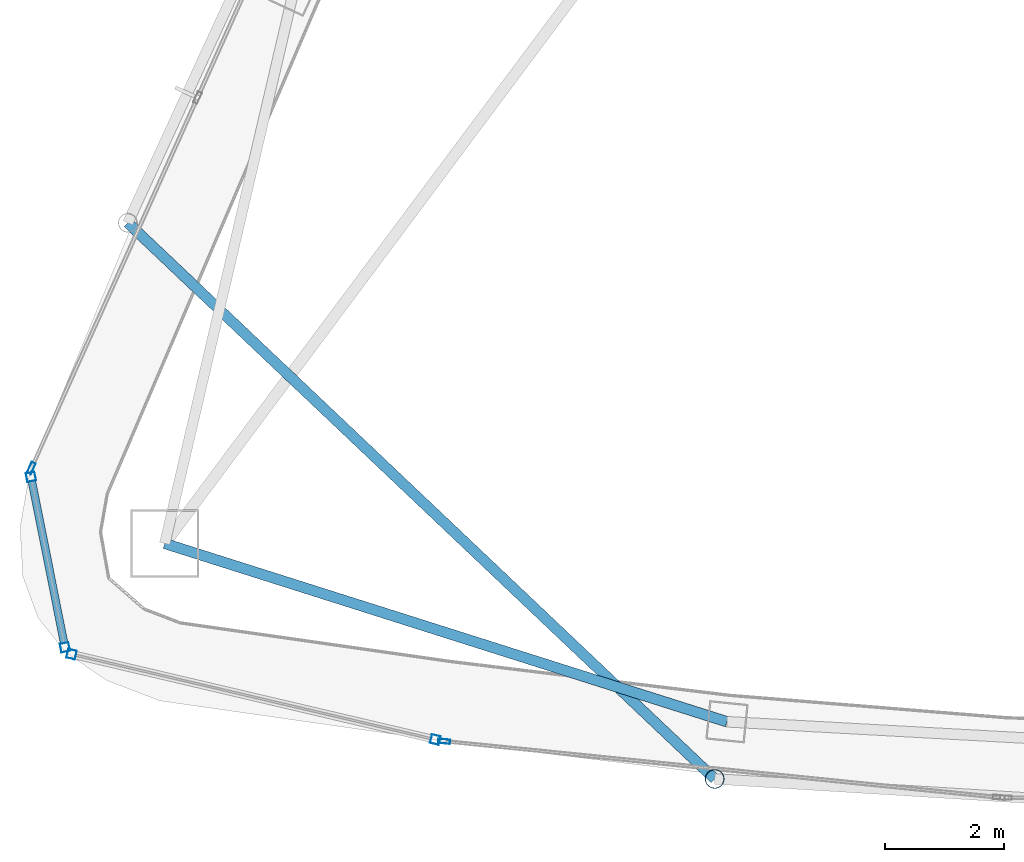
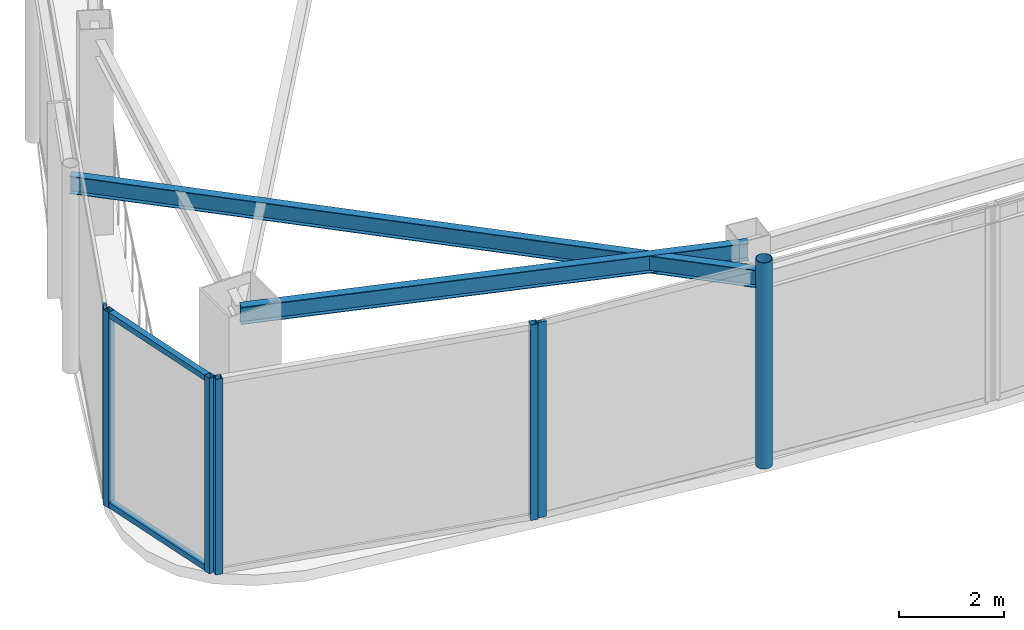
# One storey, part 2 of 19: 9 members, 2 beams, 4 elements without a shape of their own.
"""IFC4 building model written with IfcOpenShell, lengths in metres."""

from ifc_helpers import new_model, si_unit, direction, frame, origin, origin_2d, place, context, subcontext, project, spatial, hollow_rectangle, hollow_circle, i_section, extrude, material, layer, layer_set, material_profile, profile_set, type_object, element, aggregate, save


model = new_model("IFC4")

# Units and contexts
model_context = context("Model", 3, precision=1e-05, world=origin(), true_north=direction((0.0, 1.0)))
body_context = subcontext(model_context, "Body", "Model", "MODEL_VIEW")
ifc_project = project(units=[si_unit("LENGTHUNIT", "METRE"), si_unit("AREAUNIT", "SQUARE_METRE"), si_unit("VOLUMEUNIT", "CUBIC_METRE"), si_unit("PLANEANGLEUNIT", "RADIAN"), si_unit("MASSUNIT", "GRAM", prefix="KILO")], contexts=[model_context])

# Site, building, storey
site_placement = place(None, origin())
site = spatial("IfcSite", under=ifc_project, at=site_placement, CompositionType="ELEMENT")
building_placement = place(site_placement, origin())
building = spatial("IfcBuilding", under=site, at=building_placement, Name="Orvanel Arch Residences", CompositionType="ELEMENT")
storey_placement = place(building_placement, frame((0.0, 0.0, 295.699951171875)))
storey = spatial("IfcBuildingStorey", under=building, at=storey_placement, Name="L83", CompositionType="ELEMENT", Elevation=295.699951171875)

# Curtain wall, members
ifc_material_1 = material(Name="Bronze-anodised aluminium AA6063-T6", Category="aluminium")
ifc_layer = layer(ifc_material_1, 0.2099609375)
ifc_layer_set = layer_set([ifc_layer], Name="Bronze-anodised aluminium AA6063-T6")
curtain_wall_type = type_object("IfcCurtainWallType", Name="CW7-TOP-SYS", PredefinedType="NOTDEFINED", material=ifc_layer_set)
curtain_wall_1_placement = place(storey_placement, origin())
curtain_wall_1 = element("IfcCurtainWall", 1, at=curtain_wall_1_placement, inside=storey, type_object=curtain_wall_type, Name="L83 CW7-TOP-SYS Unitised Curtain Wall", PredefinedType="NOTDEFINED")
ifc_material_profile_1 = material_profile(ifc_material_1, hollow_rectangle(XDim=0.14990234375, YDim=0.14990234375, WallThickness=0.0048828125, at=origin_2d()), Name="ALU150x150x5")
ifc_profile_set_1 = profile_set([ifc_material_profile_1], Name="Bronze-anodised aluminium AA6063-T6")
member_type_1 = type_object("IfcMemberType", Name="MUL-150x150", PredefinedType="MULLION", material=ifc_profile_set_1)
member_1_placement = place(storey_placement, frame((11.95068359375, 11.471435546875, 0.0), z_axis=(0.0, 0.0, 1.0), x_axis=(0.980680696495, 0.195615366274, 0.0)))
member_1 = element("IfcMember", 2, at=member_1_placement, type_object=member_type_1, Name="CW-S7 mullion 1", PredefinedType="MULLION", context=body_context, shape_type="SweptSolid", body=[
    extrude(hollow_rectangle(XDim=0.14990234375, YDim=0.14990234375, WallThickness=0.0048828125, at=origin_2d()), origin(), (0.0, 0.0, 1.0), 4.550048828125),
])
member_2_placement = place(storey_placement, frame((12.522216796875, 8.60546875, 0.0), z_axis=(0.0, 0.0, 1.0), x_axis=(0.980680696495, 0.195615366274, 0.0)))
member_2 = element("IfcMember", 3, at=member_2_placement, type_object=member_type_1, Name="CW-S7 mullion 2", PredefinedType="MULLION", context=body_context, shape_type="SweptSolid", body=[
    extrude(hollow_rectangle(XDim=0.14990234375, YDim=0.14990234375, WallThickness=0.0048828125, at=origin_2d()), origin(), (0.0, 0.0, 1.0), 4.550048828125),
])

curtain_wall_2_placement = place(storey_placement, origin())
curtain_wall_2 = element("IfcCurtainWall", 4, at=curtain_wall_2_placement, inside=storey, type_object=curtain_wall_type, Name="L83 CW7-TOP-SYS Unitised Curtain Wall", PredefinedType="NOTDEFINED")
member_3_placement = place(storey_placement, frame((12.633056640625, 8.48974609375, 0.0), z_axis=(0.0, 0.0, 1.0), x_axis=(0.22864052585, 0.973510919271, 0.0)))
member_3 = element("IfcMember", 5, at=member_3_placement, type_object=member_type_1, Name="CW-S7 mullion 1", PredefinedType="MULLION", context=body_context, shape_type="SweptSolid", body=[
    extrude(hollow_rectangle(XDim=0.14990234375, YDim=0.14990234375, WallThickness=0.0048828125, at=origin_2d()), origin(), (0.0, 0.0, 1.0), 4.550048828125),
])
member_4_placement = place(storey_placement, frame((18.74609375, 7.05419921875, 0.0), z_axis=(0.0, 0.0, 1.0), x_axis=(0.22864052585, 0.973510919271, 0.0)))
member_4 = element("IfcMember", 6, at=member_4_placement, type_object=member_type_1, Name="CW-S7 mullion 2", PredefinedType="MULLION", context=body_context, shape_type="SweptSolid", body=[
    extrude(hollow_rectangle(XDim=0.14990234375, YDim=0.14990234375, WallThickness=0.0048828125, at=origin_2d()), origin(), (0.0, 0.0, 1.0), 4.550048828125),
])
aggregate(curtain_wall_2, [member_3, member_4])

# Curtain wall, member
curtain_wall_3_placement = place(storey_placement, origin())
curtain_wall_3 = element("IfcCurtainWall", 7, at=curtain_wall_3_placement, inside=storey, type_object=curtain_wall_type, Name="L83 CW7-TOP-SYS Unitised Curtain Wall", PredefinedType="NOTDEFINED")
ifc_material_profile_2 = material_profile(ifc_material_1, hollow_rectangle(XDim=0.074951171875, YDim=0.199951171875, WallThickness=0.0048828125, at=origin_2d()), Name="ALU200x75x5")
ifc_profile_set_2 = profile_set([ifc_material_profile_2], Name="Bronze-anodised aluminium AA6063-T6")
member_type_2 = type_object("IfcMemberType", Name="MUL-200x75", PredefinedType="MULLION", material=ifc_profile_set_2)
member_5_placement = place(storey_placement, frame((11.955322265625, 11.6171875, 0.0), z_axis=(0.0, 0.0, 1.0), x_axis=(0.912376147447, -0.40935286193, 0.0)))
member_5 = element("IfcMember", 8, at=member_5_placement, type_object=member_type_2, Name="CW-S7 mullion 3", PredefinedType="MULLION", context=body_context, shape_type="SweptSolid", body=[
    extrude(hollow_rectangle(XDim=0.074951171875, YDim=0.199951171875, WallThickness=0.0048828125, at=origin_2d()), origin(), (0.0, 0.0, 1.0), 4.550048828125),
])
aggregate(curtain_wall_3, [member_5])

curtain_wall_4_placement = place(storey_placement, origin())
curtain_wall_4 = element("IfcCurtainWall", 9, at=curtain_wall_4_placement, inside=storey, type_object=curtain_wall_type, Name="L83 CW7-TOP-SYS Unitised Curtain Wall", PredefinedType="NOTDEFINED")
member_6_placement = place(storey_placement, frame((18.895263671875, 7.026123046875, 0.0), z_axis=(0.0, 0.0, 1.0), x_axis=(0.10054103466, 0.994932912487, 0.0)))
member_6 = element("IfcMember", 10, at=member_6_placement, type_object=member_type_2, Name="CW-S7 mullion 1", PredefinedType="MULLION", context=body_context, shape_type="SweptSolid", body=[
    extrude(hollow_rectangle(XDim=0.074951171875, YDim=0.199951171875, WallThickness=0.0048828125, at=origin_2d()), origin(), (0.0, 0.0, 1.0), 4.550048828125),
])
aggregate(curtain_wall_4, [member_6])

# Beams
ifc_material_2 = material(Name="Structural steel AS/NZS 3679.1 Grade 300 (300 MPa)", Category="steel")
ifc_material_profile_3 = material_profile(ifc_material_2, i_section(OverallWidth=0.177978515625, OverallDepth=0.406005859375, WebThickness=0.0078125, FlangeThickness=0.0126953125, at=origin_2d()), Name="410UB59.7")
ifc_profile_set_3 = profile_set([ifc_material_profile_3], Name="Structural steel AS/NZS 3679.1 Grade 300 (300 MPa)")
beam_type_1 = type_object("IfcBeamType", Name="OB-410UB", PredefinedType="SPANDREL", material=ifc_profile_set_3)
beam_1_placement = place(storey_placement, frame((14.198974609375, 10.35107421875, 4.34716796875), z_axis=(0.953237386592, -0.302222574941, 0.0), x_axis=(0.302222574941, 0.953237386592, 0.0)))
element("IfcBeam", 11, at=beam_1_placement, inside=storey, type_object=beam_type_1, Name="L83 Perimeter Spandrel Beam 02", PredefinedType="SPANDREL", context=body_context, shape_type="SweptSolid", body=[
    extrude(i_section(OverallWidth=0.177978515625, OverallDepth=0.406005859375, WebThickness=0.0078125, FlangeThickness=0.0126953125, at=origin_2d()), origin(), (0.0, 0.0, 1.0), 9.91357421875),
])
ifc_material_profile_4 = material_profile(ifc_material_2, i_section(OverallWidth=0.177978515625, OverallDepth=0.406005859375, WebThickness=0.0078125, FlangeThickness=0.0126953125, at=origin_2d()), Name="410UB59.7")
ifc_profile_set_4 = profile_set([ifc_material_profile_4], Name="Structural steel AS/NZS 3679.1 Grade 300 (300 MPa)")
beam_type_2 = type_object("IfcBeamType", Name="OB-410UB-EXT", PredefinedType="SPANDREL", material=ifc_profile_set_4)
beam_2_placement = place(storey_placement, frame((13.577880859375, 15.740966796875, 4.34716796875), z_axis=(0.72587667187, -0.687824873958, 0.0), x_axis=(0.687824873958, 0.72587667187, 0.0)))
element("IfcBeam", 12, at=beam_2_placement, inside=storey, type_object=beam_type_2, Name="L83 Outer Perimeter Floor Ring Beam 04", PredefinedType="SPANDREL", context=body_context, shape_type="SweptSolid", body=[
    extrude(i_section(OverallWidth=0.177978515625, OverallDepth=0.406005859375, WebThickness=0.0078125, FlangeThickness=0.0126953125, at=origin_2d()), origin(), (0.0, 0.0, 1.0), 13.589111328125),
])

# Member
ifc_material_3 = material(Name="Structural steel AS/NZS 1163 C350L0 (Grade 350)", Category="steel")
ifc_material_profile_5 = material_profile(ifc_material_3, hollow_circle(Radius=0.162109375, WallThickness=0.0126953125, at=origin_2d()), Name="CHS324x12.7")
ifc_profile_set_5 = profile_set([ifc_material_profile_5], Name="Structural steel AS/NZS 1163 C350L0 (Grade 350)")
member_type_3 = type_object("IfcMemberType", Name="ST-324CHS-EXT", PredefinedType="STRUT", material=ifc_profile_set_5)
member_7_placement = place(storey_placement, frame((23.44189453125, 6.39404296875, 0.0), z_axis=(0.0, 0.0, 1.0), x_axis=(1.0, 0.0, 0.0)))
element("IfcMember", 13, at=member_7_placement, inside=storey, type_object=member_type_3, Name="L83 Outer Perimeter Frame Post 05", PredefinedType="STRUT", context=body_context, shape_type="SweptSolid", body=[
    extrude(hollow_circle(Radius=0.162109375, WallThickness=0.0126953125, at=origin_2d()), origin(), (0.0, 0.0, 1.0), 4.800048828125),
])

ifc_material_profile_6 = material_profile(ifc_material_1, hollow_rectangle(XDim=0.1298828125, YDim=0.1298828125, WallThickness=0.00439453125, at=origin_2d()), Name="ALU130x130x4.5")
ifc_profile_set_6 = profile_set([ifc_material_profile_6], Name="Bronze-anodised aluminium AA6063-T6")
member_type_4 = type_object("IfcMemberType", Name="TRN-130x130", PredefinedType="USERDEFINED", material=ifc_profile_set_6)
member_8_placement = place(storey_placement, frame((11.96533203125, 11.39794921875, 0.06494140625), z_axis=(0.195591107521, -0.980685535051, 0.0), x_axis=(0.980685535051, 0.195591107521, 0.0)))
member_8 = element("IfcMember", 14, at=member_8_placement, type_object=member_type_4, Name="CW-S7 transom 1.1", ObjectType="TRANSOM", PredefinedType="USERDEFINED", context=body_context, shape_type="SweptSolid", body=[
    extrude(hollow_rectangle(XDim=0.1298828125, YDim=0.1298828125, WallThickness=0.00439453125, at=origin_2d()), origin(), (0.0, 0.0, 1.0), 2.772216796875),
])

member_9_placement = place(storey_placement, frame((11.96533203125, 11.39794921875, 4.485107421875), z_axis=(0.195591107521, -0.980685535051, 0.0), x_axis=(0.980685535051, 0.195591107521, 0.0)))
member_9 = element("IfcMember", 15, at=member_9_placement, type_object=member_type_4, Name="CW-S7 transom 1.2", ObjectType="TRANSOM", PredefinedType="USERDEFINED", context=body_context, shape_type="SweptSolid", body=[
    extrude(hollow_rectangle(XDim=0.1298828125, YDim=0.1298828125, WallThickness=0.00439453125, at=origin_2d()), origin(), (0.0, 0.0, 1.0), 2.772216796875),
])

aggregate(curtain_wall_1, [member_1, member_2, member_8, member_9])

save(model, "model.ifc")
